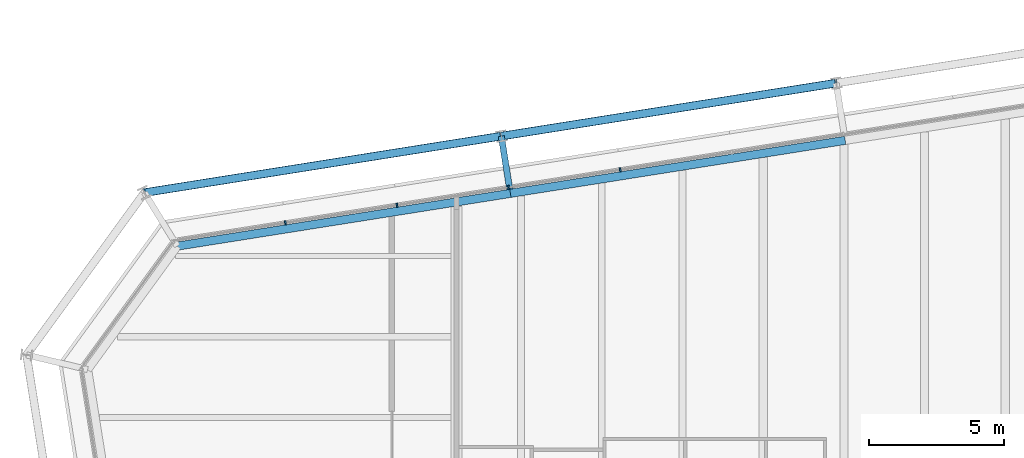
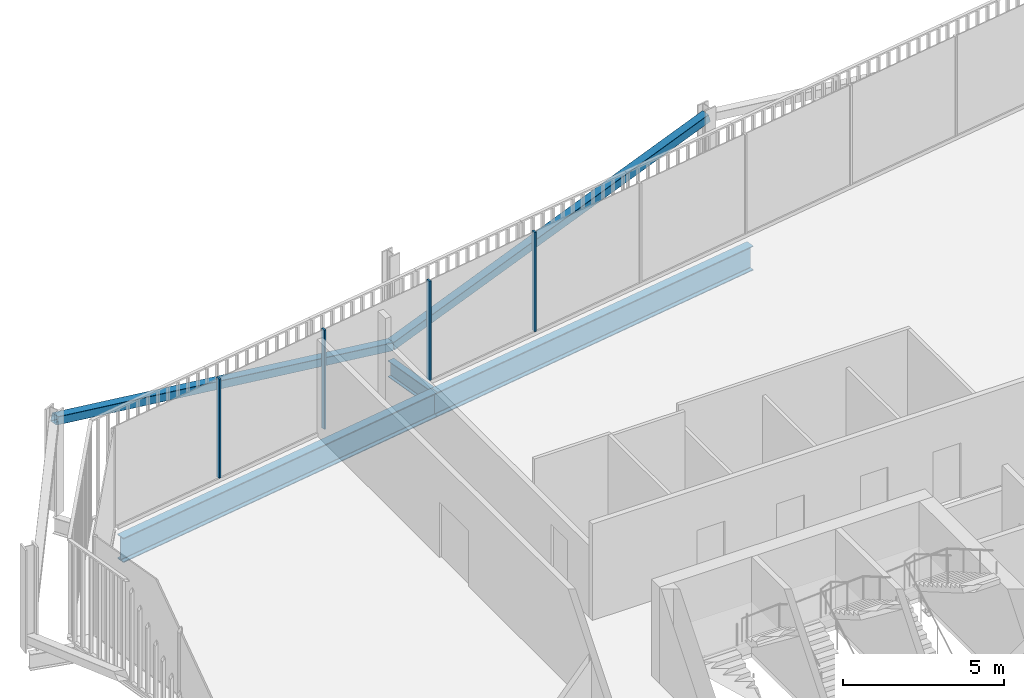
# One storey, part 13 of 21: 6 members, 3 beams, 1 element without a shape of its own.
"""IFC4 building model written with IfcOpenShell, lengths in metres."""

from ifc_helpers import new_model, si_unit, direction, frame, origin, origin_2d, place, context, subcontext, project, spatial, rectangle, hollow_rectangle, i_section, extrude, material, layer, layer_set, material_profile, profile_set, type_object, element, aggregate, save


model = new_model("IFC4")

# Units and contexts
model_context = context("Model", 3, precision=1e-05, world=origin(), true_north=direction((0.0, 1.0)))
body_context = subcontext(model_context, "Body", "Model", "MODEL_VIEW")
ifc_project = project(units=[si_unit("LENGTHUNIT", "METRE"), si_unit("AREAUNIT", "SQUARE_METRE"), si_unit("VOLUMEUNIT", "CUBIC_METRE"), si_unit("PLANEANGLEUNIT", "RADIAN"), si_unit("MASSUNIT", "GRAM", prefix="KILO")], contexts=[model_context])

# Site, building, storey
site_placement = place(None, origin())
site = spatial("IfcSite", under=ifc_project, at=site_placement, CompositionType="ELEMENT")
building_placement = place(site_placement, origin())
building = spatial("IfcBuilding", under=site, at=building_placement, Name="Millrace Tower", CompositionType="ELEMENT")
storey_placement = place(building_placement, frame((0.0, 0.0, 263.0)))
storey = spatial("IfcBuildingStorey", under=building, at=storey_placement, Name="L60", CompositionType="ELEMENT", Elevation=263.0)

# Curtain wall, members
ifc_material_1 = material(Name="Aluminium and glass", Category="aluminium")
ifc_layer = layer(ifc_material_1, 0.14990234375)
ifc_layer_set = layer_set([ifc_layer], Name="Aluminium and glass")
curtain_wall_type = type_object("IfcCurtainWallType", Name="CW-1 office vision curtain wall", PredefinedType="NOTDEFINED", material=ifc_layer_set)
curtain_wall_placement = place(storey_placement, origin())
curtain_wall = element("IfcCurtainWall", 1, at=curtain_wall_placement, inside=storey, type_object=curtain_wall_type, Name="Curtain wall D-F06 L60", PredefinedType="NOTDEFINED")
ifc_material_2 = material(Name="Aluminium", Category="aluminium")
ifc_material_profile_1 = material_profile(ifc_material_2, rectangle(XDim=0.06494140625, YDim=0.14990234375, at=origin_2d()))
ifc_profile_set_1 = profile_set([ifc_material_profile_1], Name="Aluminium")
member_type_1 = type_object("IfcMemberType", Name="CW-1 office vision curtain wall mullion", PredefinedType="MULLION", material=ifc_profile_set_1)
member_1_placement = place(storey_placement, frame((-8.31591796875, 27.207275390625, 0.139892578125), z_axis=(0.0, 0.0, 1.0), x_axis=(-0.987688339511, -0.156434471884, 0.0)))
member_1 = element("IfcMember", 2, at=member_1_placement, type_object=member_type_1, Name="CW1 mullion D-F06.6", PredefinedType="MULLION", context=body_context, shape_type="SweptSolid", body=[
    extrude(rectangle(XDim=0.06494140625, YDim=0.14990234375, at=origin_2d()), origin(), (0.0, 0.0, 1.0), 3.760009765625),
])
member_2_placement = place(storey_placement, frame((-12.46435546875, 26.55029296875, 0.139892578125), z_axis=(0.0, 0.0, 1.0), x_axis=(-0.987688339511, -0.156434471884, 0.0)))
member_2 = element("IfcMember", 3, at=member_2_placement, type_object=member_type_1, Name="CW1 mullion D-F06.7", PredefinedType="MULLION", context=body_context, shape_type="SweptSolid", body=[
    extrude(rectangle(XDim=0.06494140625, YDim=0.14990234375, at=origin_2d()), origin(), (0.0, 0.0, 1.0), 3.760009765625),
])
member_3_placement = place(storey_placement, frame((-16.612548828125, 25.893310546875, 0.139892578125), z_axis=(0.0, 0.0, 1.0), x_axis=(-0.987688339511, -0.156434471884, 0.0)))
member_3 = element("IfcMember", 4, at=member_3_placement, type_object=member_type_1, Name="CW1 mullion D-F06.8", PredefinedType="MULLION", context=body_context, shape_type="SweptSolid", body=[
    extrude(rectangle(XDim=0.06494140625, YDim=0.14990234375, at=origin_2d()), origin(), (0.0, 0.0, 1.0), 3.760009765625),
])
member_4_placement = place(storey_placement, frame((-20.7607421875, 25.236328125, 0.139892578125), z_axis=(0.0, 0.0, 1.0), x_axis=(-0.987688339511, -0.156434471884, 0.0)))
member_4 = element("IfcMember", 5, at=member_4_placement, type_object=member_type_1, Name="CW1 mullion D-F06.9", PredefinedType="MULLION", context=body_context, shape_type="SweptSolid", body=[
    extrude(rectangle(XDim=0.06494140625, YDim=0.14990234375, at=origin_2d()), origin(), (0.0, 0.0, 1.0), 3.760009765625),
])
aggregate(curtain_wall, [member_1, member_2, member_3, member_4])

# Members
ifc_material_3 = material(Name="Steel ASTM A500 Grade C", Category="steel")
ifc_material_profile_2 = material_profile(ifc_material_3, hollow_rectangle(XDim=0.3046875, YDim=0.3046875, WallThickness=0.009521484375, InnerFilletRadius=0.004638671875, OuterFilletRadius=0.014404296875, at=origin_2d()))
ifc_profile_set_2 = profile_set([ifc_material_profile_2], Name="Steel ASTM A500 Grade C")
member_type_2 = type_object("IfcMemberType", Name="Exoskeleton brace HSS12x12x3/8", PredefinedType="BRACE", material=ifc_profile_set_2)
member_5_placement = place(storey_placement, frame((-12.7333984375, 28.456787109375, 0.39990234375), z_axis=(0.959088154544, 0.151892470263, 0.238911258193), x_axis=(-0.156422238477, 0.987690277015, 0.0)))
element("IfcMember", 6, at=member_5_placement, inside=storey, type_object=member_type_2, Name="BRC-D-L60-11", PredefinedType="BRACE", context=body_context, shape_type="SweptSolid", body=[
    extrude(hollow_rectangle(XDim=0.3046875, YDim=0.3046875, WallThickness=0.009521484375, InnerFilletRadius=0.004638671875, OuterFilletRadius=0.014404296875, at=origin_2d()), origin(), (0.0, 0.0, 1.0), 12.975830078125),
])
member_6_placement = place(storey_placement, frame((-12.7333984375, 28.456787109375, 0.39990234375), z_axis=(-0.962372926342, -0.152438454324, 0.224946367578), x_axis=(0.156448038127, -0.987686190734, 0.0)))
element("IfcMember", 7, at=member_6_placement, inside=storey, type_object=member_type_2, Name="BRC-D-L60-12", PredefinedType="BRACE", context=body_context, shape_type="SweptSolid", body=[
    extrude(hollow_rectangle(XDim=0.3046875, YDim=0.3046875, WallThickness=0.009521484375, InnerFilletRadius=0.004638671875, OuterFilletRadius=0.014404296875, at=origin_2d()), origin(), (0.0, 0.0, 1.0), 13.781494140625),
])

# Beams
ifc_material_4 = material(Name="Steel ASTM A992 Grade 50", Category="steel")
ifc_material_profile_3 = material_profile(ifc_material_4, i_section(OverallWidth=0.23046875, OverallDepth=0.6171875, WebThickness=0.01318359375, FlangeThickness=0.022216796875, FilletRadius=0.012939453125, at=origin_2d()))
ifc_profile_set_3 = profile_set([ifc_material_profile_3], Name="Steel ASTM A992 Grade 50")
beam_type_1 = type_object("IfcBeamType", Name="Link beam W24x94", PredefinedType="BEAM", material=ifc_profile_set_3)
beam_1_placement = place(storey_placement, frame((-12.42041015625, 26.481201171875, -0.468505859375), z_axis=(-0.156476509441, 0.987681680499, 0.0), x_axis=(-0.987681680499, -0.156476509441, 0.0)))
element("IfcBeam", 8, at=beam_1_placement, inside=storey, type_object=beam_type_1, Name="LNK-D-L60-S1-06", PredefinedType="BEAM", context=body_context, shape_type="SweptSolid", body=[
    extrude(i_section(OverallWidth=0.23046875, OverallDepth=0.6171875, WebThickness=0.01318359375, FlangeThickness=0.022216796875, FilletRadius=0.012939453125, at=origin_2d()), origin(), (0.0, 0.0, 1.0), 2.000244140625),
])
ifc_material_5 = material(Name="Steel ASTM A992 Grade 50", Category="steel")
ifc_material_profile_4 = material_profile(ifc_material_5, i_section(OverallWidth=0.307373046875, OverallDepth=0.927001953125, WebThickness=0.01953125, FlangeThickness=0.031982421875, FilletRadius=0.01904296875, at=origin_2d()))
ifc_profile_set_4 = profile_set([ifc_material_profile_4], Name="Steel ASTM A992 Grade 50")
beam_type_2 = type_object("IfcBeamType", Name="Ring beam medium span W36x194", PredefinedType="SPANDREL", material=ifc_profile_set_4)
beam_2_placement = place(storey_placement, frame((-24.7783203125, 24.368408203125, -0.62353515625), z_axis=(0.987687213011, 0.156441584157, 0.0), x_axis=(-0.156441584157, 0.987687213011, 0.0)))
element("IfcBeam", 9, at=beam_2_placement, inside=storey, type_object=beam_type_2, Name="RNG-D-L60-S1-05", PredefinedType="SPANDREL", context=body_context, shape_type="SweptSolid", body=[
    extrude(i_section(OverallWidth=0.307373046875, OverallDepth=0.927001953125, WebThickness=0.01953125, FlangeThickness=0.031982421875, FilletRadius=0.01904296875, at=origin_2d()), origin(), (0.0, 0.0, 1.0), 12.5361328125),
])
beam_3_placement = place(storey_placement, frame((-12.396484375, 26.32958984375, -0.62353515625), z_axis=(0.987690277015, 0.156422238477, 0.0), x_axis=(-0.156422238477, 0.987690277015, 0.0)))
element("IfcBeam", 10, at=beam_3_placement, inside=storey, type_object=beam_type_2, Name="RNG-D-L60-S1-06", PredefinedType="SPANDREL", context=body_context, shape_type="SweptSolid", body=[
    extrude(i_section(OverallWidth=0.307373046875, OverallDepth=0.927001953125, WebThickness=0.01953125, FlangeThickness=0.031982421875, FilletRadius=0.01904296875, at=origin_2d()), origin(), (0.0, 0.0, 1.0), 12.60009765625),
])

save(model, "model.ifc")
